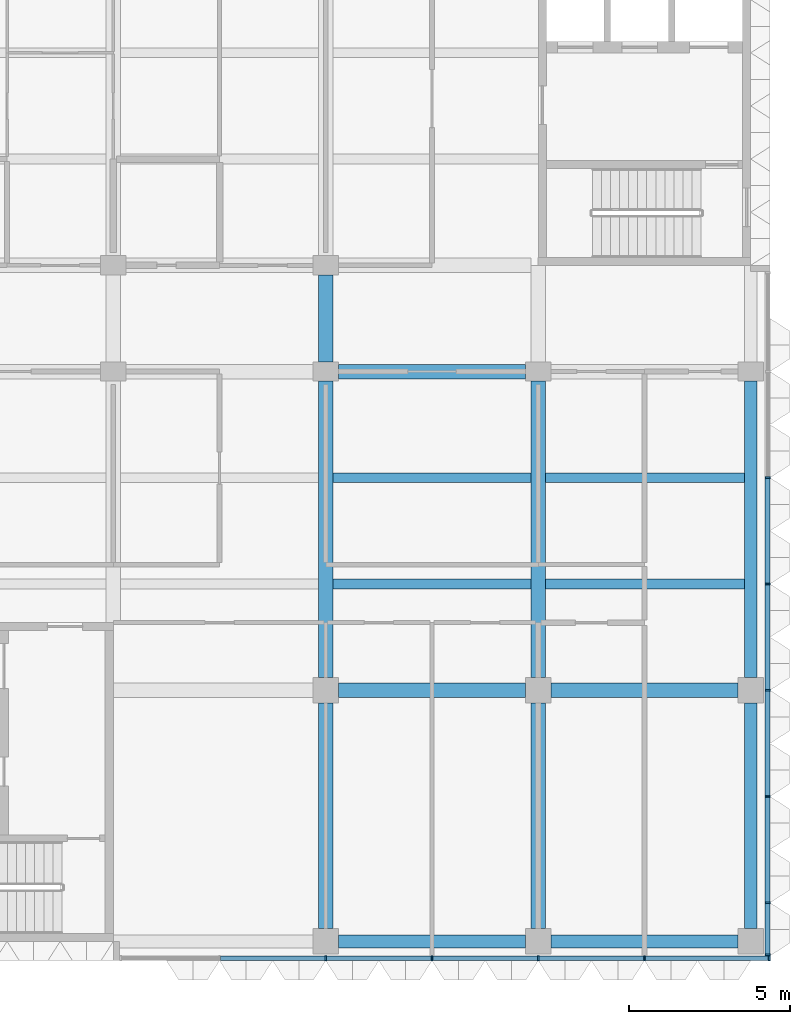
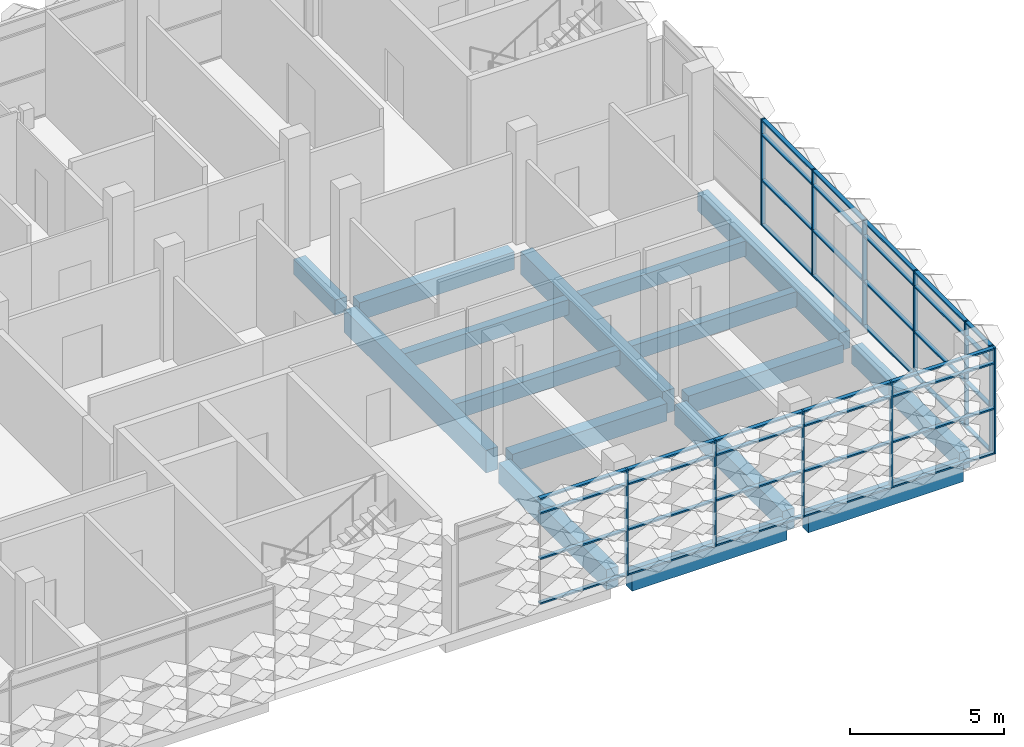
# One storey, part 11 of 61: 51 members, 16 beams, 2 elements without a shape of their own.
"""IFC4 building model written with IfcOpenShell, lengths in metres."""

from ifc_helpers import new_model, si_unit, direction, frame, origin, origin_2d, place, context, subcontext, project, spatial, rectangle, extrude, material, material_profile, profile_set, type_object, element, aggregate, save


model = new_model("IFC4")

# Units and contexts
model_context = context("Model", 3, precision=1e-05, world=origin(), true_north=direction((0.0, 1.0)))
body_context = subcontext(model_context, "Body", "Model", "MODEL_VIEW")
ifc_project = project(units=[si_unit("LENGTHUNIT", "METRE"), si_unit("AREAUNIT", "SQUARE_METRE"), si_unit("VOLUMEUNIT", "CUBIC_METRE"), si_unit("PLANEANGLEUNIT", "RADIAN"), si_unit("MASSUNIT", "GRAM", prefix="KILO")], contexts=[model_context])

# Site, building, storey
site_placement = place(None, origin())
site = spatial("IfcSite", under=ifc_project, at=site_placement, CompositionType="ELEMENT")
building_placement = place(site_placement, origin())
building = spatial("IfcBuilding", under=site, at=building_placement, Name="Lantern Court Research Institute", CompositionType="ELEMENT")
storey_placement = place(building_placement, frame((0.0, 0.0, 23.39990234375)))
storey = spatial("IfcBuildingStorey", under=building, at=storey_placement, Name="L05", CompositionType="ELEMENT", Elevation=23.39990234375)

# Curtain wall, members
ifc_material_1 = material(Name="Aluminium alloy 6063-T6", Category="aluminium")
curtain_wall_type_1 = type_object("IfcCurtainWallType", Name="Curtain wall 21250 x 4200 x 150 aluminium frame", PredefinedType="NOTDEFINED", material=ifc_material_1)
curtain_wall_1_placement = place(storey_placement, origin())
curtain_wall_1 = element("IfcCurtainWall", 1, at=curtain_wall_1_placement, inside=storey, type_object=curtain_wall_type_1, Name="Curtain wall CW074", PredefinedType="NOTDEFINED")
ifc_material_2 = material(Name="Aluminium alloy 6063-T6", Category="aluminium")
ifc_material_profile_1 = material_profile(ifc_material_2, rectangle(XDim=0.14990234375, YDim=0.06005859375, at=origin_2d()), Name="Mullion 150 x 60")
ifc_profile_set_1 = profile_set([ifc_material_profile_1], Name="Aluminium alloy 6063-T6")
member_type_1 = type_object("IfcMemberType", Name="Mullion 150 x 60 aluminium", PredefinedType="MULLION", material=ifc_profile_set_1)
member_1_placement = place(storey_placement, frame((79.72509765625, -8.219970703125, 0.0), z_axis=(0.0, 0.0, 1.0), x_axis=(1.0, 0.0, 0.0)))
member_1 = element("IfcMember", 2, at=member_1_placement, type_object=member_type_1, Name="CW074 mullion 1", PredefinedType="MULLION", context=body_context, shape_type="SweptSolid", body=[
    extrude(rectangle(XDim=0.14990234375, YDim=0.06005859375, at=origin_2d()), origin(), (0.0, 0.0, 1.0), 4.2001953125),
])
member_2_placement = place(storey_placement, frame((79.72509765625, -6.60009765625, 0.0), z_axis=(0.0, 0.0, 1.0), x_axis=(1.0, 0.0, 0.0)))
member_2 = element("IfcMember", 3, at=member_2_placement, type_object=member_type_1, Name="CW074 mullion 2", PredefinedType="MULLION", context=body_context, shape_type="SweptSolid", body=[
    extrude(rectangle(XDim=0.14990234375, YDim=0.06005859375, at=origin_2d()), origin(), (0.0, 0.0, 1.0), 4.2001953125),
])
member_3_placement = place(storey_placement, frame((79.72509765625, -3.300048828125, 0.0), z_axis=(0.0, 0.0, 1.0), x_axis=(1.0, 0.0, 0.0)))
member_3 = element("IfcMember", 4, at=member_3_placement, type_object=member_type_1, Name="CW074 mullion 3", PredefinedType="MULLION", context=body_context, shape_type="SweptSolid", body=[
    extrude(rectangle(XDim=0.14990234375, YDim=0.06005859375, at=origin_2d()), origin(), (0.0, 0.0, 1.0), 4.2001953125),
])
member_4_placement = place(storey_placement, frame((79.72509765625, 0.0, 0.0), z_axis=(0.0, 0.0, 1.0), x_axis=(1.0, 0.0, 0.0)))
member_4 = element("IfcMember", 5, at=member_4_placement, type_object=member_type_1, Name="CW074 mullion 4", PredefinedType="MULLION", context=body_context, shape_type="SweptSolid", body=[
    extrude(rectangle(XDim=0.14990234375, YDim=0.06005859375, at=origin_2d()), origin(), (0.0, 0.0, 1.0), 4.2001953125),
])
member_5_placement = place(storey_placement, frame((79.72509765625, 3.300048828125, 0.0), z_axis=(0.0, 0.0, 1.0), x_axis=(1.0, 0.0, 0.0)))
member_5 = element("IfcMember", 6, at=member_5_placement, type_object=member_type_1, Name="CW074 mullion 5", PredefinedType="MULLION", context=body_context, shape_type="SweptSolid", body=[
    extrude(rectangle(XDim=0.14990234375, YDim=0.06005859375, at=origin_2d()), origin(), (0.0, 0.0, 1.0), 4.2001953125),
])
member_6_placement = place(storey_placement, frame((79.72509765625, 6.60009765625, 0.0), z_axis=(0.0, 0.0, 1.0), x_axis=(1.0, 0.0, 0.0)))
member_6 = element("IfcMember", 7, at=member_6_placement, type_object=member_type_1, Name="CW074 mullion 6", PredefinedType="MULLION", context=body_context, shape_type="SweptSolid", body=[
    extrude(rectangle(XDim=0.14990234375, YDim=0.06005859375, at=origin_2d()), origin(), (0.0, 0.0, 1.0), 4.2001953125),
])

ifc_material_3 = material(Name="Aluminium alloy 6063-T6", Category="aluminium")
curtain_wall_type_2 = type_object("IfcCurtainWallType", Name="Curtain wall 20200 x 4200 x 150 aluminium frame", PredefinedType="NOTDEFINED", material=ifc_material_3)
curtain_wall_2_placement = place(storey_placement, origin())
curtain_wall_2 = element("IfcCurtainWall", 8, at=curtain_wall_2_placement, inside=storey, type_object=curtain_wall_type_2, Name="Curtain wall CW076", PredefinedType="NOTDEFINED")
member_7_placement = place(storey_placement, frame((66.0, -8.324951171875, 0.0), z_axis=(0.0, 0.0, 1.0), x_axis=(0.0, -1.0, 0.0)))
member_7 = element("IfcMember", 9, at=member_7_placement, type_object=member_type_1, Name="CW076 mullion 3", PredefinedType="MULLION", context=body_context, shape_type="SweptSolid", body=[
    extrude(rectangle(XDim=0.14990234375, YDim=0.06005859375, at=origin_2d()), origin(), (0.0, 0.0, 1.0), 4.2001953125),
])
member_8_placement = place(storey_placement, frame((69.300048828125, -8.324951171875, 0.0), z_axis=(0.0, 0.0, 1.0), x_axis=(0.0, -1.0, 0.0)))
member_8 = element("IfcMember", 10, at=member_8_placement, type_object=member_type_1, Name="CW076 mullion 4", PredefinedType="MULLION", context=body_context, shape_type="SweptSolid", body=[
    extrude(rectangle(XDim=0.14990234375, YDim=0.06005859375, at=origin_2d()), origin(), (0.0, 0.0, 1.0), 4.2001953125),
])
member_9_placement = place(storey_placement, frame((72.60009765625, -8.324951171875, 0.0), z_axis=(0.0, 0.0, 1.0), x_axis=(0.0, -1.0, 0.0)))
member_9 = element("IfcMember", 11, at=member_9_placement, type_object=member_type_1, Name="CW076 mullion 5", PredefinedType="MULLION", context=body_context, shape_type="SweptSolid", body=[
    extrude(rectangle(XDim=0.14990234375, YDim=0.06005859375, at=origin_2d()), origin(), (0.0, 0.0, 1.0), 4.2001953125),
])
member_10_placement = place(storey_placement, frame((75.89990234375, -8.324951171875, 0.0), z_axis=(0.0, 0.0, 1.0), x_axis=(0.0, -1.0, 0.0)))
member_10 = element("IfcMember", 12, at=member_10_placement, type_object=member_type_1, Name="CW076 mullion 6", PredefinedType="MULLION", context=body_context, shape_type="SweptSolid", body=[
    extrude(rectangle(XDim=0.14990234375, YDim=0.06005859375, at=origin_2d()), origin(), (0.0, 0.0, 1.0), 4.2001953125),
])
member_11_placement = place(storey_placement, frame((79.77001953125, -8.324951171875, 0.0), z_axis=(0.0, 0.0, 1.0), x_axis=(0.0, -1.0, 0.0)))
member_11 = element("IfcMember", 13, at=member_11_placement, type_object=member_type_1, Name="CW076 mullion 7", PredefinedType="MULLION", context=body_context, shape_type="SweptSolid", body=[
    extrude(rectangle(XDim=0.14990234375, YDim=0.06005859375, at=origin_2d()), origin(), (0.0, 0.0, 1.0), 4.2001953125),
])

# Beams
ifc_material_4 = material(Name="Concrete C40/50", Category="concrete")
ifc_material_profile_2 = material_profile(ifc_material_4, rectangle(XDim=0.449951171875, YDim=0.699951171875, at=origin_2d()), Name="RC beam 450 x 700")
ifc_profile_set_2 = profile_set([ifc_material_profile_2], Name="Concrete C40/50")
beam_type_1 = type_object("IfcBeamType", Name="RC beam 450 x 700", PredefinedType="BEAM", material=ifc_profile_set_2)
for number, where, z_axis, x_axis, name in (
    (14, (66.39990234375, 0.0, -0.64990234375), (1.0, 0.0, 0.0), (0.0, 1.0, 0.0), "Beam L05 grid A/11-12"),
    (15, (73.0, 0.0, -0.64990234375), (1.0, 0.0, 0.0), (0.0, 1.0, 0.0), "Beam L05 grid A/12-13"),
    (16, (66.39990234375, 9.89990234375, -0.64990234375), (1.0, 0.0, 0.0), (0.0, 1.0, 0.0), "Beam L05 grid B/11-12"),
):
    element("IfcBeam", number, at=place(storey_placement, frame(where, z_axis=z_axis, x_axis=x_axis)), inside=storey, type_object=beam_type_1, Name=name, PredefinedType="BEAM", context=body_context, shape_type="SweptSolid", body=[
        extrude(rectangle(XDim=0.449951171875, YDim=0.699951171875, at=origin_2d()), origin(), (0.0, 0.0, 1.0), 5.800048828125),
    ])
ifc_material_5 = material(Name="Concrete C40/50", Category="concrete")
ifc_material_profile_3 = material_profile(ifc_material_5, rectangle(XDim=0.39990234375, YDim=0.699951171875, at=origin_2d()), Name="RC beam 400 x 700")
ifc_profile_set_3 = profile_set([ifc_material_profile_3], Name="Concrete C40/50")
beam_type_2 = type_object("IfcBeamType", Name="RC edge beam 400 x 700", PredefinedType="BEAM", material=ifc_profile_set_3)
beam_1_placement = place(storey_placement, frame((79.199951171875, -7.39990234375, -0.64990234375), z_axis=(0.0, 1.0, 0.0), x_axis=(-1.0, 0.0, 0.0)))
element("IfcBeam", 17, at=beam_1_placement, inside=storey, type_object=beam_type_2, Name="Edge beam L05 grid 13/Z-A", PredefinedType="BEAM", context=body_context, shape_type="SweptSolid", body=[
    extrude(rectangle(XDim=0.39990234375, YDim=0.699951171875, at=origin_2d()), origin(), (0.0, 0.0, 1.0), 7.0),
])
beam_2_placement = place(storey_placement, frame((79.199951171875, 0.39990234375, -0.64990234375), z_axis=(0.0, 1.0, 0.0), x_axis=(-1.0, 0.0, 0.0)))
element("IfcBeam", 18, at=beam_2_placement, inside=storey, type_object=beam_type_2, Name="Edge beam L05 grid 13/A-B", PredefinedType="BEAM", context=body_context, shape_type="SweptSolid", body=[
    extrude(rectangle(XDim=0.39990234375, YDim=0.699951171875, at=origin_2d()), origin(), (0.0, 0.0, 1.0), 9.2001953125),
])
for number, where, z_axis, x_axis, name in (
    (19, (66.39990234375, -7.800048828125, -0.64990234375), (1.0, 0.0, 0.0), (0.0, 1.0, 0.0), "Edge beam L05 grid Z/11-12"),
    (20, (73.0, -7.800048828125, -0.64990234375), (1.0, 0.0, 0.0), (0.0, 1.0, 0.0), "Edge beam L05 grid Z/12-13"),
):
    element("IfcBeam", number, at=place(storey_placement, frame(where, z_axis=z_axis, x_axis=x_axis)), inside=storey, type_object=beam_type_2, Name=name, PredefinedType="BEAM", context=body_context, shape_type="SweptSolid", body=[
        extrude(rectangle(XDim=0.39990234375, YDim=0.699951171875, at=origin_2d()), origin(), (0.0, 0.0, 1.0), 5.800048828125),
    ])
ifc_material_6 = material(Name="Concrete C40/50", Category="concrete")
ifc_material_profile_4 = material_profile(ifc_material_6, rectangle(XDim=0.449951171875, YDim=0.800048828125, at=origin_2d()), Name="RC beam 450 x 800")
ifc_profile_set_4 = profile_set([ifc_material_profile_4], Name="Concrete C40/50")
beam_type_3 = type_object("IfcBeamType", Name="RC girder 450 x 800", PredefinedType="BEAM", material=ifc_profile_set_4)
for number, where, z_axis, x_axis, name in (
    (21, (66.0, -7.39990234375, -0.699951171875), (0.0, 1.0, 0.0), (-1.0, 0.0, 0.0), "Girder L05 grid 11/Z-A"),
    (22, (72.60009765625, -7.39990234375, -0.699951171875), (0.0, 1.0, 0.0), (-1.0, 0.0, 0.0), "Girder L05 grid 12/Z-A"),
):
    element("IfcBeam", number, at=place(storey_placement, frame(where, z_axis=z_axis, x_axis=x_axis)), inside=storey, type_object=beam_type_3, Name=name, PredefinedType="BEAM", context=body_context, shape_type="SweptSolid", body=[
        extrude(rectangle(XDim=0.449951171875, YDim=0.800048828125, at=origin_2d()), origin(), (0.0, 0.0, 1.0), 7.0),
    ])
ifc_material_7 = material(Name="Concrete C40/50", Category="concrete")
ifc_material_profile_5 = material_profile(ifc_material_7, rectangle(XDim=0.449951171875, YDim=0.89990234375, at=origin_2d()), Name="RC beam 450 x 900")
ifc_profile_set_5 = profile_set([ifc_material_profile_5], Name="Concrete C40/50")
beam_type_4 = type_object("IfcBeamType", Name="RC girder 450 x 900", PredefinedType="BEAM", material=ifc_profile_set_5)
for number, where, z_axis, x_axis, name in (
    (23, (66.0, 0.39990234375, -0.75), (0.0, 1.0, 0.0), (-1.0, 0.0, 0.0), "Girder L05 grid 11/A-B"),
    (24, (72.60009765625, 0.39990234375, -0.75), (0.0, 1.0, 0.0), (-1.0, 0.0, 0.0), "Girder L05 grid 12/A-B"),
):
    element("IfcBeam", number, at=place(storey_placement, frame(where, z_axis=z_axis, x_axis=x_axis)), inside=storey, type_object=beam_type_4, Name=name, PredefinedType="BEAM", context=body_context, shape_type="SweptSolid", body=[
        extrude(rectangle(XDim=0.449951171875, YDim=0.89990234375, at=origin_2d()), origin(), (0.0, 0.0, 1.0), 9.2001953125),
    ])
ifc_material_8 = material(Name="Concrete C40/50", Category="concrete")
ifc_material_profile_6 = material_profile(ifc_material_8, rectangle(XDim=0.300048828125, YDim=0.60009765625, at=origin_2d()), Name="RC beam 300 x 600")
ifc_profile_set_6 = profile_set([ifc_material_profile_6], Name="Concrete C40/50")
beam_type_5 = type_object("IfcBeamType", Name="RC secondary beam 300 x 600", PredefinedType="BEAM", material=ifc_profile_set_6)
beam_3_placement = place(storey_placement, frame((66.22509765625, 3.300048828125, -0.599853515625), z_axis=(1.0, 0.0, 0.0), x_axis=(0.0, 1.0, 0.0)))
element("IfcBeam", 25, at=beam_3_placement, inside=storey, type_object=beam_type_5, Name="Secondary beam L05 grids 11-12 / A-B, line 1", PredefinedType="BEAM", context=body_context, shape_type="SweptSolid", body=[
    extrude(rectangle(XDim=0.300048828125, YDim=0.60009765625, at=origin_2d()), origin(), (0.0, 0.0, 1.0), 6.14990234375),
])
beam_4_placement = place(storey_placement, frame((72.824951171875, 3.300048828125, -0.599853515625), z_axis=(1.0, 0.0, 0.0), x_axis=(0.0, 1.0, 0.0)))
element("IfcBeam", 26, at=beam_4_placement, inside=storey, type_object=beam_type_5, Name="Secondary beam L05 grids 12-13 / A-B, line 1", PredefinedType="BEAM", context=body_context, shape_type="SweptSolid", body=[
    extrude(rectangle(XDim=0.300048828125, YDim=0.60009765625, at=origin_2d()), origin(), (0.0, 0.0, 1.0), 6.175048828125),
])
beam_5_placement = place(storey_placement, frame((66.22509765625, 6.60009765625, -0.599853515625), z_axis=(1.0, 0.0, 0.0), x_axis=(0.0, 1.0, 0.0)))
element("IfcBeam", 27, at=beam_5_placement, inside=storey, type_object=beam_type_5, Name="Secondary beam L05 grids 11-12 / A-B, line 2", PredefinedType="BEAM", context=body_context, shape_type="SweptSolid", body=[
    extrude(rectangle(XDim=0.300048828125, YDim=0.60009765625, at=origin_2d()), origin(), (0.0, 0.0, 1.0), 6.14990234375),
])
beam_6_placement = place(storey_placement, frame((72.824951171875, 6.60009765625, -0.599853515625), z_axis=(1.0, 0.0, 0.0), x_axis=(0.0, 1.0, 0.0)))
element("IfcBeam", 28, at=beam_6_placement, inside=storey, type_object=beam_type_5, Name="Secondary beam L05 grids 12-13 / A-B, line 2", PredefinedType="BEAM", context=body_context, shape_type="SweptSolid", body=[
    extrude(rectangle(XDim=0.300048828125, YDim=0.60009765625, at=origin_2d()), origin(), (0.0, 0.0, 1.0), 6.175048828125),
])
ifc_material_9 = material(Name="Concrete C40/50", Category="concrete")
ifc_material_profile_7 = material_profile(ifc_material_9, rectangle(XDim=0.449951171875, YDim=0.60009765625, at=origin_2d()), Name="RC beam 450 x 600")
ifc_profile_set_7 = profile_set([ifc_material_profile_7], Name="Concrete C40/50")
beam_type_6 = type_object("IfcBeamType", Name="RC spine beam 450 x 600", PredefinedType="BEAM", material=ifc_profile_set_7)
beam_7_placement = place(storey_placement, frame((66.0, 10.199951171875, -0.599853515625), z_axis=(0.0, 1.0, 0.0), x_axis=(-1.0, 0.0, 0.0)))
element("IfcBeam", 29, at=beam_7_placement, inside=storey, type_object=beam_type_6, Name="Beam L05 grid 11/B-C", PredefinedType="BEAM", context=body_context, shape_type="SweptSolid", body=[
    extrude(rectangle(XDim=0.449951171875, YDim=0.60009765625, at=origin_2d()), origin(), (0.0, 0.0, 1.0), 2.699951171875),
])

# Member
ifc_material_10 = material(Name="Aluminium alloy 6063-T6", Category="aluminium")
ifc_material_profile_8 = material_profile(ifc_material_10, rectangle(XDim=0.14990234375, YDim=0.06005859375, at=origin_2d()), Name="Transom 150 x 60")
ifc_profile_set_8 = profile_set([ifc_material_profile_8], Name="Aluminium alloy 6063-T6")
member_type_2 = type_object("IfcMemberType", Name="Transom 150 x 60 aluminium", PredefinedType="USERDEFINED", material=ifc_profile_set_8)
member_12_placement = place(storey_placement, frame((79.72509765625, -6.6298828125, 0.030029296875), z_axis=(0.0, -1.0, 0.0), x_axis=(1.0, 0.0, 0.0)))
member_12 = element("IfcMember", 30, at=member_12_placement, type_object=member_type_2, Name="CW074 transom 1.1", ObjectType="TRANSOM", PredefinedType="USERDEFINED", context=body_context, shape_type="SweptSolid", body=[
    extrude(rectangle(XDim=0.14990234375, YDim=0.06005859375, at=origin_2d()), origin(), (0.0, 0.0, 1.0), 1.56005859375),
])

member_13_placement = place(storey_placement, frame((79.72509765625, -6.6298828125, 1.800048828125), z_axis=(0.0, -1.0, 0.0), x_axis=(1.0, 0.0, 0.0)))
member_13 = element("IfcMember", 31, at=member_13_placement, type_object=member_type_2, Name="CW074 transom 1.2", ObjectType="TRANSOM", PredefinedType="USERDEFINED", context=body_context, shape_type="SweptSolid", body=[
    extrude(rectangle(XDim=0.14990234375, YDim=0.06005859375, at=origin_2d()), origin(), (0.0, 0.0, 1.0), 1.56005859375),
])

member_14_placement = place(storey_placement, frame((79.72509765625, -6.6298828125, 3.60009765625), z_axis=(0.0, -1.0, 0.0), x_axis=(1.0, 0.0, 0.0)))
member_14 = element("IfcMember", 32, at=member_14_placement, type_object=member_type_2, Name="CW074 transom 1.3", ObjectType="TRANSOM", PredefinedType="USERDEFINED", context=body_context, shape_type="SweptSolid", body=[
    extrude(rectangle(XDim=0.14990234375, YDim=0.06005859375, at=origin_2d()), origin(), (0.0, 0.0, 1.0), 1.56005859375),
])

member_15_placement = place(storey_placement, frame((79.72509765625, -6.6298828125, 4.170166015625), z_axis=(0.0, -1.0, 0.0), x_axis=(1.0, 0.0, 0.0)))
member_15 = element("IfcMember", 33, at=member_15_placement, type_object=member_type_2, Name="CW074 transom 1.4", ObjectType="TRANSOM", PredefinedType="USERDEFINED", context=body_context, shape_type="SweptSolid", body=[
    extrude(rectangle(XDim=0.14990234375, YDim=0.06005859375, at=origin_2d()), origin(), (0.0, 0.0, 1.0), 1.56005859375),
])

member_16_placement = place(storey_placement, frame((79.72509765625, -3.330078125, 0.030029296875), z_axis=(0.0, -1.0, 0.0), x_axis=(1.0, 0.0, 0.0)))
member_16 = element("IfcMember", 34, at=member_16_placement, type_object=member_type_2, Name="CW074 transom 2.1", ObjectType="TRANSOM", PredefinedType="USERDEFINED", context=body_context, shape_type="SweptSolid", body=[
    extrude(rectangle(XDim=0.14990234375, YDim=0.06005859375, at=origin_2d()), origin(), (0.0, 0.0, 1.0), 3.239990234375),
])

member_17_placement = place(storey_placement, frame((79.72509765625, -3.330078125, 1.800048828125), z_axis=(0.0, -1.0, 0.0), x_axis=(1.0, 0.0, 0.0)))
member_17 = element("IfcMember", 35, at=member_17_placement, type_object=member_type_2, Name="CW074 transom 2.2", ObjectType="TRANSOM", PredefinedType="USERDEFINED", context=body_context, shape_type="SweptSolid", body=[
    extrude(rectangle(XDim=0.14990234375, YDim=0.06005859375, at=origin_2d()), origin(), (0.0, 0.0, 1.0), 3.239990234375),
])

member_18_placement = place(storey_placement, frame((79.72509765625, -3.330078125, 3.60009765625), z_axis=(0.0, -1.0, 0.0), x_axis=(1.0, 0.0, 0.0)))
member_18 = element("IfcMember", 36, at=member_18_placement, type_object=member_type_2, Name="CW074 transom 2.3", ObjectType="TRANSOM", PredefinedType="USERDEFINED", context=body_context, shape_type="SweptSolid", body=[
    extrude(rectangle(XDim=0.14990234375, YDim=0.06005859375, at=origin_2d()), origin(), (0.0, 0.0, 1.0), 3.239990234375),
])

member_19_placement = place(storey_placement, frame((79.72509765625, -3.330078125, 4.170166015625), z_axis=(0.0, -1.0, 0.0), x_axis=(1.0, 0.0, 0.0)))
member_19 = element("IfcMember", 37, at=member_19_placement, type_object=member_type_2, Name="CW074 transom 2.4", ObjectType="TRANSOM", PredefinedType="USERDEFINED", context=body_context, shape_type="SweptSolid", body=[
    extrude(rectangle(XDim=0.14990234375, YDim=0.06005859375, at=origin_2d()), origin(), (0.0, 0.0, 1.0), 3.239990234375),
])

member_20_placement = place(storey_placement, frame((79.72509765625, -0.030029296875, 0.030029296875), z_axis=(0.0, -1.0, 0.0), x_axis=(1.0, 0.0, 0.0)))
member_20 = element("IfcMember", 38, at=member_20_placement, type_object=member_type_2, Name="CW074 transom 3.1", ObjectType="TRANSOM", PredefinedType="USERDEFINED", context=body_context, shape_type="SweptSolid", body=[
    extrude(rectangle(XDim=0.14990234375, YDim=0.06005859375, at=origin_2d()), origin(), (0.0, 0.0, 1.0), 3.239990234375),
])

member_21_placement = place(storey_placement, frame((79.72509765625, -0.030029296875, 1.800048828125), z_axis=(0.0, -1.0, 0.0), x_axis=(1.0, 0.0, 0.0)))
member_21 = element("IfcMember", 39, at=member_21_placement, type_object=member_type_2, Name="CW074 transom 3.2", ObjectType="TRANSOM", PredefinedType="USERDEFINED", context=body_context, shape_type="SweptSolid", body=[
    extrude(rectangle(XDim=0.14990234375, YDim=0.06005859375, at=origin_2d()), origin(), (0.0, 0.0, 1.0), 3.239990234375),
])

member_22_placement = place(storey_placement, frame((79.72509765625, -0.030029296875, 3.60009765625), z_axis=(0.0, -1.0, 0.0), x_axis=(1.0, 0.0, 0.0)))
member_22 = element("IfcMember", 40, at=member_22_placement, type_object=member_type_2, Name="CW074 transom 3.3", ObjectType="TRANSOM", PredefinedType="USERDEFINED", context=body_context, shape_type="SweptSolid", body=[
    extrude(rectangle(XDim=0.14990234375, YDim=0.06005859375, at=origin_2d()), origin(), (0.0, 0.0, 1.0), 3.239990234375),
])

member_23_placement = place(storey_placement, frame((79.72509765625, -0.030029296875, 4.170166015625), z_axis=(0.0, -1.0, 0.0), x_axis=(1.0, 0.0, 0.0)))
member_23 = element("IfcMember", 41, at=member_23_placement, type_object=member_type_2, Name="CW074 transom 3.4", ObjectType="TRANSOM", PredefinedType="USERDEFINED", context=body_context, shape_type="SweptSolid", body=[
    extrude(rectangle(XDim=0.14990234375, YDim=0.06005859375, at=origin_2d()), origin(), (0.0, 0.0, 1.0), 3.239990234375),
])

member_24_placement = place(storey_placement, frame((79.72509765625, 3.27001953125, 0.030029296875), z_axis=(0.0, -1.0, 0.0), x_axis=(1.0, 0.0, 0.0)))
member_24 = element("IfcMember", 42, at=member_24_placement, type_object=member_type_2, Name="CW074 transom 4.1", ObjectType="TRANSOM", PredefinedType="USERDEFINED", context=body_context, shape_type="SweptSolid", body=[
    extrude(rectangle(XDim=0.14990234375, YDim=0.06005859375, at=origin_2d()), origin(), (0.0, 0.0, 1.0), 3.239990234375),
])

member_25_placement = place(storey_placement, frame((79.72509765625, 3.27001953125, 1.800048828125), z_axis=(0.0, -1.0, 0.0), x_axis=(1.0, 0.0, 0.0)))
member_25 = element("IfcMember", 43, at=member_25_placement, type_object=member_type_2, Name="CW074 transom 4.2", ObjectType="TRANSOM", PredefinedType="USERDEFINED", context=body_context, shape_type="SweptSolid", body=[
    extrude(rectangle(XDim=0.14990234375, YDim=0.06005859375, at=origin_2d()), origin(), (0.0, 0.0, 1.0), 3.239990234375),
])

member_26_placement = place(storey_placement, frame((79.72509765625, 3.27001953125, 3.60009765625), z_axis=(0.0, -1.0, 0.0), x_axis=(1.0, 0.0, 0.0)))
member_26 = element("IfcMember", 44, at=member_26_placement, type_object=member_type_2, Name="CW074 transom 4.3", ObjectType="TRANSOM", PredefinedType="USERDEFINED", context=body_context, shape_type="SweptSolid", body=[
    extrude(rectangle(XDim=0.14990234375, YDim=0.06005859375, at=origin_2d()), origin(), (0.0, 0.0, 1.0), 3.239990234375),
])

member_27_placement = place(storey_placement, frame((79.72509765625, 3.27001953125, 4.170166015625), z_axis=(0.0, -1.0, 0.0), x_axis=(1.0, 0.0, 0.0)))
member_27 = element("IfcMember", 45, at=member_27_placement, type_object=member_type_2, Name="CW074 transom 4.4", ObjectType="TRANSOM", PredefinedType="USERDEFINED", context=body_context, shape_type="SweptSolid", body=[
    extrude(rectangle(XDim=0.14990234375, YDim=0.06005859375, at=origin_2d()), origin(), (0.0, 0.0, 1.0), 3.239990234375),
])

member_28_placement = place(storey_placement, frame((79.72509765625, 6.570068359375, 0.030029296875), z_axis=(0.0, -1.0, 0.0), x_axis=(1.0, 0.0, 0.0)))
member_28 = element("IfcMember", 46, at=member_28_placement, type_object=member_type_2, Name="CW074 transom 5.1", ObjectType="TRANSOM", PredefinedType="USERDEFINED", context=body_context, shape_type="SweptSolid", body=[
    extrude(rectangle(XDim=0.14990234375, YDim=0.06005859375, at=origin_2d()), origin(), (0.0, 0.0, 1.0), 3.239990234375),
])

member_29_placement = place(storey_placement, frame((79.72509765625, 6.570068359375, 1.800048828125), z_axis=(0.0, -1.0, 0.0), x_axis=(1.0, 0.0, 0.0)))
member_29 = element("IfcMember", 47, at=member_29_placement, type_object=member_type_2, Name="CW074 transom 5.2", ObjectType="TRANSOM", PredefinedType="USERDEFINED", context=body_context, shape_type="SweptSolid", body=[
    extrude(rectangle(XDim=0.14990234375, YDim=0.06005859375, at=origin_2d()), origin(), (0.0, 0.0, 1.0), 3.239990234375),
])

member_30_placement = place(storey_placement, frame((79.72509765625, 6.570068359375, 3.60009765625), z_axis=(0.0, -1.0, 0.0), x_axis=(1.0, 0.0, 0.0)))
member_30 = element("IfcMember", 48, at=member_30_placement, type_object=member_type_2, Name="CW074 transom 5.3", ObjectType="TRANSOM", PredefinedType="USERDEFINED", context=body_context, shape_type="SweptSolid", body=[
    extrude(rectangle(XDim=0.14990234375, YDim=0.06005859375, at=origin_2d()), origin(), (0.0, 0.0, 1.0), 3.239990234375),
])

member_31_placement = place(storey_placement, frame((79.72509765625, 6.570068359375, 4.170166015625), z_axis=(0.0, -1.0, 0.0), x_axis=(1.0, 0.0, 0.0)))
member_31 = element("IfcMember", 49, at=member_31_placement, type_object=member_type_2, Name="CW074 transom 5.4", ObjectType="TRANSOM", PredefinedType="USERDEFINED", context=body_context, shape_type="SweptSolid", body=[
    extrude(rectangle(XDim=0.14990234375, YDim=0.06005859375, at=origin_2d()), origin(), (0.0, 0.0, 1.0), 3.239990234375),
])

aggregate(curtain_wall_1, [member_1, member_2, member_3, member_4, member_5, member_6, member_12, member_13, member_14, member_15, member_16, member_17, member_18, member_19, member_20, member_21, member_22, member_23, member_24, member_25, member_26, member_27, member_28, member_29, member_30, member_31])

member_32_placement = place(storey_placement, frame((65.969970703125, -8.324951171875, 0.030029296875), z_axis=(-1.0, 0.0, 0.0), x_axis=(0.0, -1.0, 0.0)))
member_32 = element("IfcMember", 50, at=member_32_placement, type_object=member_type_2, Name="CW076 transom 2.1", ObjectType="TRANSOM", PredefinedType="USERDEFINED", context=body_context, shape_type="SweptSolid", body=[
    extrude(rectangle(XDim=0.14990234375, YDim=0.06005859375, at=origin_2d()), origin(), (0.0, 0.0, 1.0), 3.239990234375),
])

member_33_placement = place(storey_placement, frame((65.969970703125, -8.324951171875, 1.800048828125), z_axis=(-1.0, 0.0, 0.0), x_axis=(0.0, -1.0, 0.0)))
member_33 = element("IfcMember", 51, at=member_33_placement, type_object=member_type_2, Name="CW076 transom 2.2", ObjectType="TRANSOM", PredefinedType="USERDEFINED", context=body_context, shape_type="SweptSolid", body=[
    extrude(rectangle(XDim=0.14990234375, YDim=0.06005859375, at=origin_2d()), origin(), (0.0, 0.0, 1.0), 3.239990234375),
])

member_34_placement = place(storey_placement, frame((65.969970703125, -8.324951171875, 3.60009765625), z_axis=(-1.0, 0.0, 0.0), x_axis=(0.0, -1.0, 0.0)))
member_34 = element("IfcMember", 52, at=member_34_placement, type_object=member_type_2, Name="CW076 transom 2.3", ObjectType="TRANSOM", PredefinedType="USERDEFINED", context=body_context, shape_type="SweptSolid", body=[
    extrude(rectangle(XDim=0.14990234375, YDim=0.06005859375, at=origin_2d()), origin(), (0.0, 0.0, 1.0), 3.239990234375),
])

member_35_placement = place(storey_placement, frame((65.969970703125, -8.324951171875, 4.170166015625), z_axis=(-1.0, 0.0, 0.0), x_axis=(0.0, -1.0, 0.0)))
member_35 = element("IfcMember", 53, at=member_35_placement, type_object=member_type_2, Name="CW076 transom 2.4", ObjectType="TRANSOM", PredefinedType="USERDEFINED", context=body_context, shape_type="SweptSolid", body=[
    extrude(rectangle(XDim=0.14990234375, YDim=0.06005859375, at=origin_2d()), origin(), (0.0, 0.0, 1.0), 3.239990234375),
])

member_36_placement = place(storey_placement, frame((69.27001953125, -8.324951171875, 0.030029296875), z_axis=(-1.0, 0.0, 0.0), x_axis=(0.0, -1.0, 0.0)))
member_36 = element("IfcMember", 54, at=member_36_placement, type_object=member_type_2, Name="CW076 transom 3.1", ObjectType="TRANSOM", PredefinedType="USERDEFINED", context=body_context, shape_type="SweptSolid", body=[
    extrude(rectangle(XDim=0.14990234375, YDim=0.06005859375, at=origin_2d()), origin(), (0.0, 0.0, 1.0), 3.239990234375),
])

member_37_placement = place(storey_placement, frame((69.27001953125, -8.324951171875, 1.800048828125), z_axis=(-1.0, 0.0, 0.0), x_axis=(0.0, -1.0, 0.0)))
member_37 = element("IfcMember", 55, at=member_37_placement, type_object=member_type_2, Name="CW076 transom 3.2", ObjectType="TRANSOM", PredefinedType="USERDEFINED", context=body_context, shape_type="SweptSolid", body=[
    extrude(rectangle(XDim=0.14990234375, YDim=0.06005859375, at=origin_2d()), origin(), (0.0, 0.0, 1.0), 3.239990234375),
])

member_38_placement = place(storey_placement, frame((69.27001953125, -8.324951171875, 3.60009765625), z_axis=(-1.0, 0.0, 0.0), x_axis=(0.0, -1.0, 0.0)))
member_38 = element("IfcMember", 56, at=member_38_placement, type_object=member_type_2, Name="CW076 transom 3.3", ObjectType="TRANSOM", PredefinedType="USERDEFINED", context=body_context, shape_type="SweptSolid", body=[
    extrude(rectangle(XDim=0.14990234375, YDim=0.06005859375, at=origin_2d()), origin(), (0.0, 0.0, 1.0), 3.239990234375),
])

member_39_placement = place(storey_placement, frame((69.27001953125, -8.324951171875, 4.170166015625), z_axis=(-1.0, 0.0, 0.0), x_axis=(0.0, -1.0, 0.0)))
member_39 = element("IfcMember", 57, at=member_39_placement, type_object=member_type_2, Name="CW076 transom 3.4", ObjectType="TRANSOM", PredefinedType="USERDEFINED", context=body_context, shape_type="SweptSolid", body=[
    extrude(rectangle(XDim=0.14990234375, YDim=0.06005859375, at=origin_2d()), origin(), (0.0, 0.0, 1.0), 3.239990234375),
])

member_40_placement = place(storey_placement, frame((72.570068359375, -8.324951171875, 0.030029296875), z_axis=(-1.0, 0.0, 0.0), x_axis=(0.0, -1.0, 0.0)))
member_40 = element("IfcMember", 58, at=member_40_placement, type_object=member_type_2, Name="CW076 transom 4.1", ObjectType="TRANSOM", PredefinedType="USERDEFINED", context=body_context, shape_type="SweptSolid", body=[
    extrude(rectangle(XDim=0.14990234375, YDim=0.06005859375, at=origin_2d()), origin(), (0.0, 0.0, 1.0), 3.239990234375),
])

member_41_placement = place(storey_placement, frame((72.570068359375, -8.324951171875, 1.800048828125), z_axis=(-1.0, 0.0, 0.0), x_axis=(0.0, -1.0, 0.0)))
member_41 = element("IfcMember", 59, at=member_41_placement, type_object=member_type_2, Name="CW076 transom 4.2", ObjectType="TRANSOM", PredefinedType="USERDEFINED", context=body_context, shape_type="SweptSolid", body=[
    extrude(rectangle(XDim=0.14990234375, YDim=0.06005859375, at=origin_2d()), origin(), (0.0, 0.0, 1.0), 3.239990234375),
])

member_42_placement = place(storey_placement, frame((72.570068359375, -8.324951171875, 3.60009765625), z_axis=(-1.0, 0.0, 0.0), x_axis=(0.0, -1.0, 0.0)))
member_42 = element("IfcMember", 60, at=member_42_placement, type_object=member_type_2, Name="CW076 transom 4.3", ObjectType="TRANSOM", PredefinedType="USERDEFINED", context=body_context, shape_type="SweptSolid", body=[
    extrude(rectangle(XDim=0.14990234375, YDim=0.06005859375, at=origin_2d()), origin(), (0.0, 0.0, 1.0), 3.239990234375),
])

member_43_placement = place(storey_placement, frame((72.570068359375, -8.324951171875, 4.170166015625), z_axis=(-1.0, 0.0, 0.0), x_axis=(0.0, -1.0, 0.0)))
member_43 = element("IfcMember", 61, at=member_43_placement, type_object=member_type_2, Name="CW076 transom 4.4", ObjectType="TRANSOM", PredefinedType="USERDEFINED", context=body_context, shape_type="SweptSolid", body=[
    extrude(rectangle(XDim=0.14990234375, YDim=0.06005859375, at=origin_2d()), origin(), (0.0, 0.0, 1.0), 3.239990234375),
])

member_44_placement = place(storey_placement, frame((75.8701171875, -8.324951171875, 0.030029296875), z_axis=(-1.0, 0.0, 0.0), x_axis=(0.0, -1.0, 0.0)))
member_44 = element("IfcMember", 62, at=member_44_placement, type_object=member_type_2, Name="CW076 transom 5.1", ObjectType="TRANSOM", PredefinedType="USERDEFINED", context=body_context, shape_type="SweptSolid", body=[
    extrude(rectangle(XDim=0.14990234375, YDim=0.06005859375, at=origin_2d()), origin(), (0.0, 0.0, 1.0), 3.240234375),
])

member_45_placement = place(storey_placement, frame((75.8701171875, -8.324951171875, 1.800048828125), z_axis=(-1.0, 0.0, 0.0), x_axis=(0.0, -1.0, 0.0)))
member_45 = element("IfcMember", 63, at=member_45_placement, type_object=member_type_2, Name="CW076 transom 5.2", ObjectType="TRANSOM", PredefinedType="USERDEFINED", context=body_context, shape_type="SweptSolid", body=[
    extrude(rectangle(XDim=0.14990234375, YDim=0.06005859375, at=origin_2d()), origin(), (0.0, 0.0, 1.0), 3.240234375),
])

member_46_placement = place(storey_placement, frame((75.8701171875, -8.324951171875, 3.60009765625), z_axis=(-1.0, 0.0, 0.0), x_axis=(0.0, -1.0, 0.0)))
member_46 = element("IfcMember", 64, at=member_46_placement, type_object=member_type_2, Name="CW076 transom 5.3", ObjectType="TRANSOM", PredefinedType="USERDEFINED", context=body_context, shape_type="SweptSolid", body=[
    extrude(rectangle(XDim=0.14990234375, YDim=0.06005859375, at=origin_2d()), origin(), (0.0, 0.0, 1.0), 3.240234375),
])

member_47_placement = place(storey_placement, frame((75.8701171875, -8.324951171875, 4.170166015625), z_axis=(-1.0, 0.0, 0.0), x_axis=(0.0, -1.0, 0.0)))
member_47 = element("IfcMember", 65, at=member_47_placement, type_object=member_type_2, Name="CW076 transom 5.4", ObjectType="TRANSOM", PredefinedType="USERDEFINED", context=body_context, shape_type="SweptSolid", body=[
    extrude(rectangle(XDim=0.14990234375, YDim=0.06005859375, at=origin_2d()), origin(), (0.0, 0.0, 1.0), 3.240234375),
])

member_48_placement = place(storey_placement, frame((79.739990234375, -8.324951171875, 0.030029296875), z_axis=(-1.0, 0.0, 0.0), x_axis=(0.0, -1.0, 0.0)))
member_48 = element("IfcMember", 66, at=member_48_placement, type_object=member_type_2, Name="CW076 transom 6.1", ObjectType="TRANSOM", PredefinedType="USERDEFINED", context=body_context, shape_type="SweptSolid", body=[
    extrude(rectangle(XDim=0.14990234375, YDim=0.06005859375, at=origin_2d()), origin(), (0.0, 0.0, 1.0), 3.81005859375),
])

member_49_placement = place(storey_placement, frame((79.739990234375, -8.324951171875, 1.800048828125), z_axis=(-1.0, 0.0, 0.0), x_axis=(0.0, -1.0, 0.0)))
member_49 = element("IfcMember", 67, at=member_49_placement, type_object=member_type_2, Name="CW076 transom 6.2", ObjectType="TRANSOM", PredefinedType="USERDEFINED", context=body_context, shape_type="SweptSolid", body=[
    extrude(rectangle(XDim=0.14990234375, YDim=0.06005859375, at=origin_2d()), origin(), (0.0, 0.0, 1.0), 3.81005859375),
])

member_50_placement = place(storey_placement, frame((79.739990234375, -8.324951171875, 3.60009765625), z_axis=(-1.0, 0.0, 0.0), x_axis=(0.0, -1.0, 0.0)))
member_50 = element("IfcMember", 68, at=member_50_placement, type_object=member_type_2, Name="CW076 transom 6.3", ObjectType="TRANSOM", PredefinedType="USERDEFINED", context=body_context, shape_type="SweptSolid", body=[
    extrude(rectangle(XDim=0.14990234375, YDim=0.06005859375, at=origin_2d()), origin(), (0.0, 0.0, 1.0), 3.81005859375),
])

member_51_placement = place(storey_placement, frame((79.739990234375, -8.324951171875, 4.170166015625), z_axis=(-1.0, 0.0, 0.0), x_axis=(0.0, -1.0, 0.0)))
member_51 = element("IfcMember", 69, at=member_51_placement, type_object=member_type_2, Name="CW076 transom 6.4", ObjectType="TRANSOM", PredefinedType="USERDEFINED", context=body_context, shape_type="SweptSolid", body=[
    extrude(rectangle(XDim=0.14990234375, YDim=0.06005859375, at=origin_2d()), origin(), (0.0, 0.0, 1.0), 3.81005859375),
])

aggregate(curtain_wall_2, [member_7, member_8, member_9, member_10, member_11, member_32, member_33, member_34, member_35, member_36, member_37, member_38, member_39, member_40, member_41, member_42, member_43, member_44, member_45, member_46, member_47, member_48, member_49, member_50, member_51])

save(model, "model.ifc")
